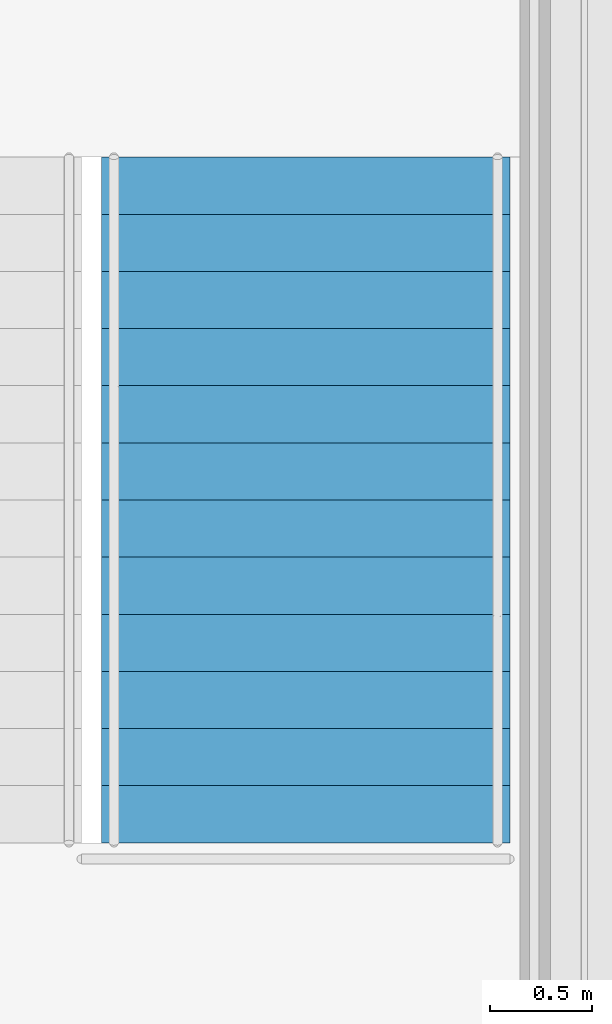
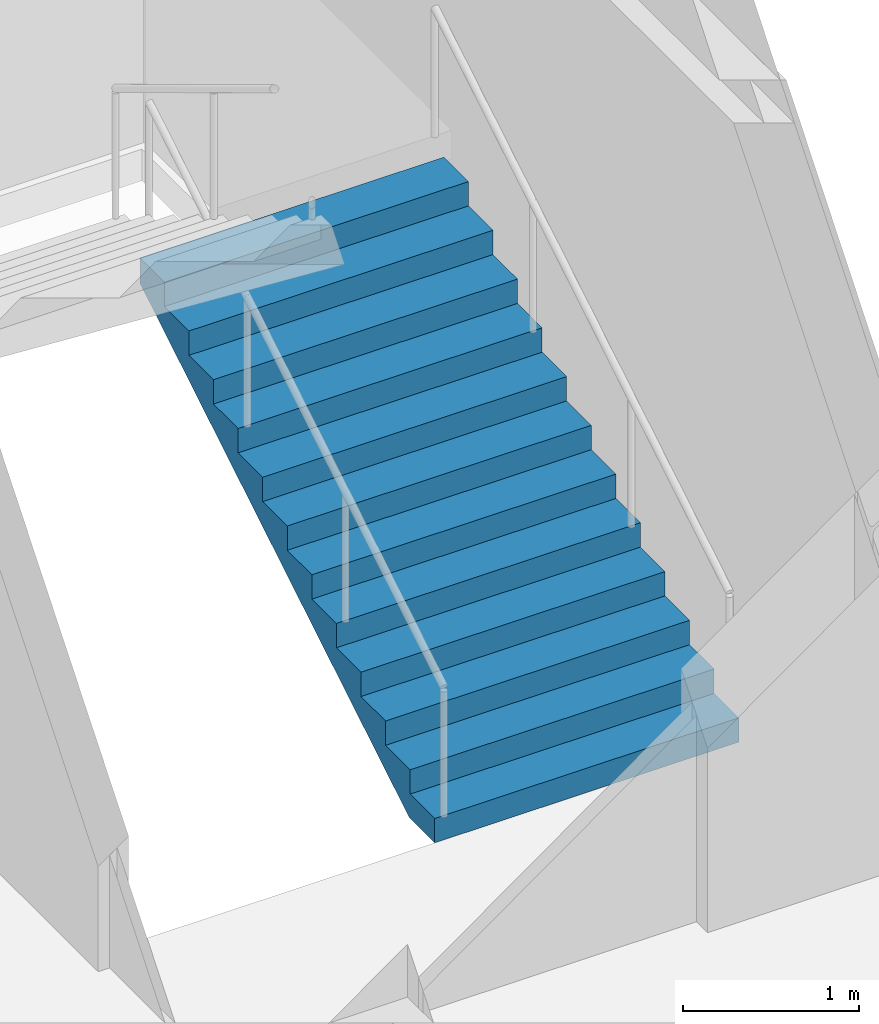
# One storey, part 5 of 7: 1 stair flight, 1 element without a shape of its own.
"""IFC4 building model written with IfcOpenShell, lengths in metres."""

from ifc_helpers import new_model, si_unit, direction, frame, origin, place, context, subcontext, project, spatial, polyline, outline, extrude, material, type_object, element, aggregate, save


model = new_model("IFC4")

# Units and contexts
model_context = context("Model", 3, precision=1e-05, world=origin(), true_north=direction((0.0, 1.0)))
body_context = subcontext(model_context, "Body", "Model", "MODEL_VIEW")
ifc_project = project(units=[si_unit("LENGTHUNIT", "METRE"), si_unit("AREAUNIT", "SQUARE_METRE"), si_unit("VOLUMEUNIT", "CUBIC_METRE"), si_unit("PLANEANGLEUNIT", "RADIAN"), si_unit("MASSUNIT", "GRAM", prefix="KILO")], contexts=[model_context])

# Site, building, storey
site_placement = place(None, origin())
site = spatial("IfcSite", under=ifc_project, at=site_placement, CompositionType="ELEMENT")
building_placement = place(site_placement, origin())
building = spatial("IfcBuilding", under=site, at=building_placement, Name="Galleria Vessillo Department Store", CompositionType="ELEMENT")
storey_placement = place(building_placement, frame((0.0, 0.0, 67.60009765625)))
storey = spatial("IfcBuildingStorey", under=building, at=storey_placement, Name="L15", CompositionType="ELEMENT", Elevation=67.60009765625)

# Stair, stair flight
ifc_material_1 = material(Name="Concrete C32/40", Category="concrete")
stair_type = type_object("IfcStairType", Name="Half-turn escape stair 2000 mm, 26 risers of 169 mm", PredefinedType="HALF_TURN_STAIR", material=ifc_material_1)
stair_placement = place(storey_placement, origin())
stair = element("IfcStair", 1, at=stair_placement, inside=storey, type_object=stair_type, Name="Stair ST9 L15", PredefinedType="HALF_TURN_STAIR")
ifc_material_2 = material(Name="Concrete C32/40", Category="concrete")
stair_flight_type = type_object("IfcStairFlightType", Name="Stair flight 2000 mm, 13 risers of 169 mm", PredefinedType="STRAIGHT", material=ifc_material_2)
stair_flight_placement = place(storey_placement, frame((116.39990234375, 55.99951171875, 0.0), z_axis=(0.0, 0.0, 1.0), x_axis=(0.0, 1.0, 0.0)))
stair_flight = element("IfcStairFlight", 2, at=stair_flight_placement, type_object=stair_flight_type, Name="ST9 flight 1", NumberOfRisers=13, NumberOfTreads=12, PredefinedType="STRAIGHT", RiserHeight=0.169230769, TreadLength=0.28, context=body_context, shape_type="SweptSolid", body=[
    extrude(outline(polyline([(0.0, 0.0), (0.0, 0.169189453125), (0.280029296875, 0.169189453125), (0.280029296875, 0.33837890625), (0.56005859375, 0.33837890625), (0.56005859375, 0.5078125), (0.840087890625, 0.5078125), (0.840087890625, 0.677001953125), (1.1201171875, 0.677001953125), (1.1201171875, 0.84619140625), (1.39990234375, 0.84619140625), (1.39990234375, 1.015380859375), (1.679931640625, 1.015380859375), (1.679931640625, 1.1845703125), (1.9599609375, 1.1845703125), (1.9599609375, 1.353759765625), (2.239990234375, 1.353759765625), (2.239990234375, 1.523193359375), (2.52001953125, 1.523193359375), (2.52001953125, 1.6923828125), (2.800048828125, 1.6923828125), (2.800048828125, 1.861572265625), (3.080078125, 1.861572265625), (3.080078125, 2.03076171875), (3.360107421875, 2.03076171875), (3.360107421875, 2.199951171875), (3.360107421875, 1.855712890625), (0.289794921875, 0.0), (0.0, 0.0)])), frame((0.0, 1.0, 0.0), z_axis=(0.0, -1.0, 0.0), x_axis=(1.0, 0.0, 0.0)), (0.0, 0.0, 1.0), 2.0),
])
aggregate(stair, [stair_flight])

save(model, "model.ifc")
